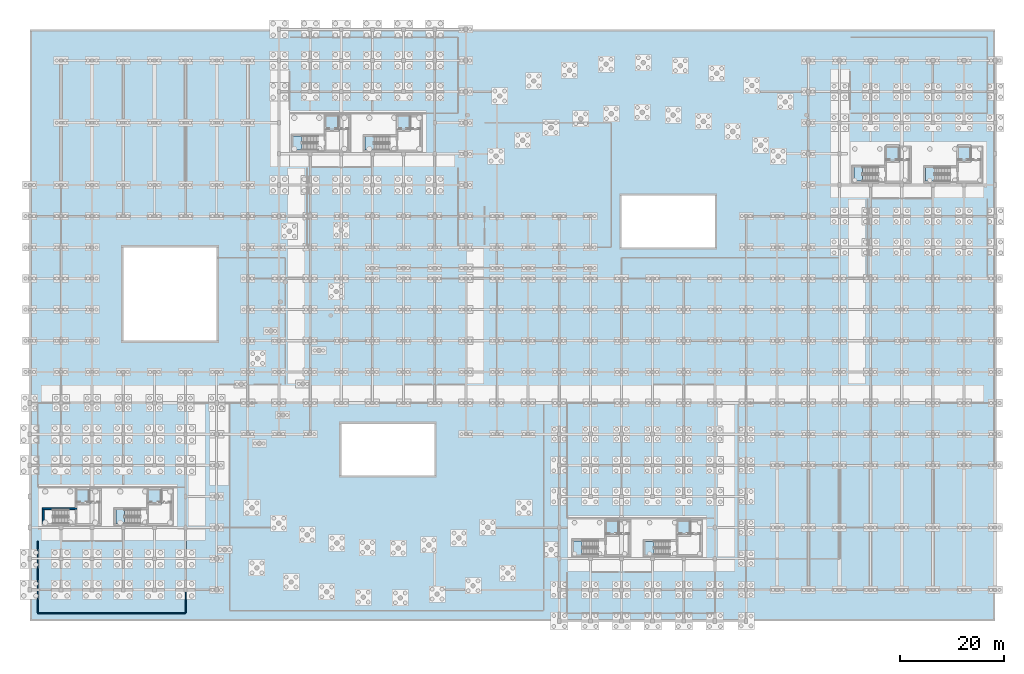
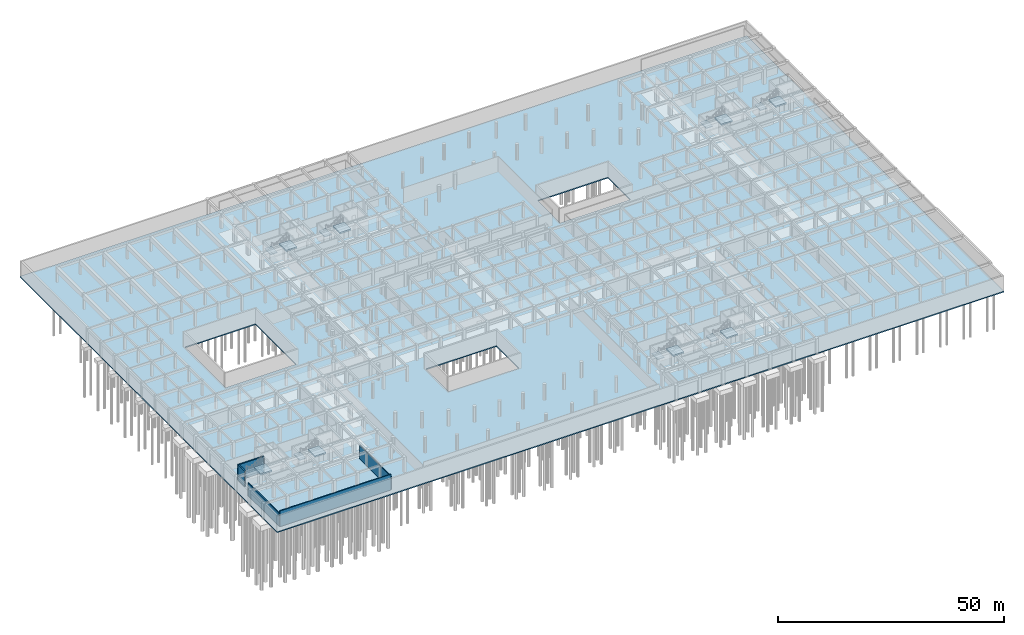
# One storey, part 22 of 41: 16 slabs, 5 walls, 7 elements without a shape of their own.
"""IFC4 building model written with IfcOpenShell, lengths in metres."""

from ifc_helpers import new_model, si_unit, direction, frame, frame_2d, origin, place, context, subcontext, project, spatial, polyline, rectangle, outline, extrude, material, layer, layer_set, type_object, element, aggregate, save


model = new_model("IFC4")

# Units and contexts
model_context = context("Model", 3, precision=1e-05, world=origin(), true_north=direction((0.0, 1.0)))
body_context = subcontext(model_context, "Body", "Model", "MODEL_VIEW")
ifc_project = project(units=[si_unit("LENGTHUNIT", "METRE"), si_unit("AREAUNIT", "SQUARE_METRE"), si_unit("VOLUMEUNIT", "CUBIC_METRE"), si_unit("PLANEANGLEUNIT", "RADIAN"), si_unit("MASSUNIT", "GRAM", prefix="KILO"), si_unit("POWERUNIT", "WATT"), si_unit("THERMODYNAMICTEMPERATUREUNIT", "KELVIN")], contexts=[model_context])

# Site, building, storey
site_placement = place(None, origin())
site = spatial("IfcSite", under=ifc_project, at=site_placement, CompositionType="ELEMENT")
building_placement = place(site_placement, origin())
building = spatial("IfcBuilding", under=site, at=building_placement, Name="Ruvembo Vaulted Housing Court", CompositionType="ELEMENT")
storey_placement = place(building_placement, frame((0.0, 0.0, -4.5)))
storey = spatial("IfcBuildingStorey", under=building, at=storey_placement, Name="B1", CompositionType="ELEMENT", Elevation=-4.5)

# Slab
ifc_material_1 = material(Name="Concrete C30/37", Category="concrete")
ifc_layer_1 = layer(ifc_material_1, 0.300048828125, Name="Concrete C30/37")
ifc_layer_set_1 = layer_set([ifc_layer_1], Name="Concrete C30/37")
slab_type_1 = type_object("IfcSlabType", Name="SL-BASE-300", PredefinedType="BASESLAB", material=ifc_layer_set_1)
slab_1_placement = place(storey_placement, frame((0.0, 0.0, -0.300048828125)))
element("IfcSlab", 1, at=slab_1_placement, inside=storey, type_object=slab_type_1, Name="B1 Shared Basement Structural Base Slab", PredefinedType="BASESLAB", context=body_context, shape_type="SweptSolid", body=[
    extrude(outline(polyline([(186.0, 0.0), (186.0, 114.0), (0.0, 114.0), (0.0, 0.0), (186.0, 0.0)]), holes=[polyline([(18.0, 54.0), (36.0, 54.0), (36.0, 72.0), (18.0, 72.0), (18.0, 54.0)]), polyline([(60.0, 28.0), (78.0, 28.0), (78.0, 38.0), (60.0, 38.0), (60.0, 28.0)]), polyline([(114.0, 72.0), (132.0, 72.0), (132.0, 82.0), (114.0, 82.0), (114.0, 72.0)])]), origin(), (0.0, 0.0, 1.0), 0.300048828125),
])

# Stair, slab
ifc_material_2 = material(Name="Concrete C35/45", Category="concrete")
stair_type_1 = type_object("IfcStairType", Name="STR-CORE-1250", PredefinedType="HALF_TURN_STAIR", material=ifc_material_2)
stair_1_placement = place(storey_placement, origin())
stair_1 = element("IfcStair", 2, at=stair_1_placement, inside=storey, type_object=stair_type_1, Name="B1 Protected Exit Stair ST-A2", PredefinedType="HALF_TURN_STAIR")
ifc_layer_2 = layer(ifc_material_1, 0.201904296875, Name="Concrete C30/37")
ifc_layer_set_2 = layer_set([ifc_layer_2], Name="Concrete C30/37")
slab_type_2 = type_object("IfcSlabType", Name="SL-LAND-202", PredefinedType="LANDING", material=ifc_layer_set_2)
slab_2_placement = place(storey_placement, frame((0.0, 0.0, 2.050048828125)))
slab_2 = element("IfcSlab", 3, at=slab_2_placement, type_object=slab_type_2, Name="ST-A2 landing 1", PredefinedType="LANDING", context=body_context, shape_type="SweptSolid", body=[
    extrude(outline(polyline([(18.219970703125, 21.449951171875), (16.550048828125, 21.449951171875), (16.550048828125, 18.75), (18.219970703125, 18.75), (18.219970703125, 21.449951171875)])), origin(), (0.0, 0.0, 1.0), 0.199951171875),
])
aggregate(stair_1, [slab_2])

stair_2_placement = place(storey_placement, origin())
stair_2 = element("IfcStair", 4, at=stair_2_placement, inside=storey, type_object=stair_type_1, Name="B1 Protected Exit Stair ST-B1", PredefinedType="HALF_TURN_STAIR")
slab_3_placement = place(storey_placement, frame((0.0, 0.0, 2.050048828125)))
slab_3 = element("IfcSlab", 5, at=slab_3_placement, type_object=slab_type_2, Name="ST-B1 landing 1", PredefinedType="LANDING", context=body_context, shape_type="SweptSolid", body=[
    extrude(outline(polyline([(52.419921875, 93.449951171875), (50.75, 93.449951171875), (50.75, 90.75), (52.419921875, 90.75), (52.419921875, 93.449951171875)])), origin(), (0.0, 0.0, 1.0), 0.199951171875),
])
aggregate(stair_2, [slab_3])

stair_type_2 = type_object("IfcStairType", Name="STR-CORE-1200", PredefinedType="HALF_TURN_STAIR", material=ifc_material_2)
stair_3_placement = place(storey_placement, origin())
stair_3 = element("IfcStair", 6, at=stair_3_placement, inside=storey, type_object=stair_type_2, Name="B1 Protected Exit Stair ST-B2", PredefinedType="HALF_TURN_STAIR")
slab_4_placement = place(storey_placement, frame((0.0, 0.0, 2.050048828125)))
slab_4 = element("IfcSlab", 7, at=slab_4_placement, type_object=slab_type_2, Name="ST-B2 landing 1", PredefinedType="LANDING", context=body_context, shape_type="SweptSolid", body=[
    extrude(outline(polyline([(66.27001953125, 93.35009765625), (64.550048828125, 93.35009765625), (64.550048828125, 90.75), (66.27001953125, 90.75), (66.27001953125, 93.35009765625)])), origin(), (0.0, 0.0, 1.0), 0.199951171875),
])
aggregate(stair_3, [slab_4])

stair_4_placement = place(storey_placement, origin())
stair_4 = element("IfcStair", 8, at=stair_4_placement, inside=storey, type_object=stair_type_1, Name="B1 Protected Exit Stair ST-C1", PredefinedType="HALF_TURN_STAIR")
slab_5_placement = place(storey_placement, frame((0.0, 0.0, 2.050048828125)))
slab_5 = element("IfcSlab", 9, at=slab_5_placement, type_object=slab_type_2, Name="ST-C1 landing 1", PredefinedType="LANDING", context=body_context, shape_type="SweptSolid", body=[
    extrude(outline(polyline([(106.419921875, 15.449951171875), (104.75, 15.449951171875), (104.75, 12.75), (106.419921875, 12.75), (106.419921875, 15.449951171875)])), origin(), (0.0, 0.0, 1.0), 0.199951171875),
])
aggregate(stair_4, [slab_5])

stair_5_placement = place(storey_placement, origin())
stair_5 = element("IfcStair", 10, at=stair_5_placement, inside=storey, type_object=stair_type_2, Name="B1 Protected Exit Stair ST-C2", PredefinedType="HALF_TURN_STAIR")
slab_6_placement = place(storey_placement, frame((0.0, 0.0, 2.050048828125)))
slab_6 = element("IfcSlab", 11, at=slab_6_placement, type_object=slab_type_2, Name="ST-C2 landing 1", PredefinedType="LANDING", context=body_context, shape_type="SweptSolid", body=[
    extrude(outline(polyline([(120.27001953125, 15.35009765625), (118.550048828125, 15.35009765625), (118.550048828125, 12.75), (120.27001953125, 12.75), (120.27001953125, 15.35009765625)])), origin(), (0.0, 0.0, 1.0), 0.199951171875),
])
aggregate(stair_5, [slab_6])

stair_6_placement = place(storey_placement, origin())
stair_6 = element("IfcStair", 12, at=stair_6_placement, inside=storey, type_object=stair_type_1, Name="B1 Protected Exit Stair ST-D1", PredefinedType="HALF_TURN_STAIR")
slab_7_placement = place(storey_placement, frame((0.0, 0.0, 2.050048828125)))
slab_7 = element("IfcSlab", 13, at=slab_7_placement, type_object=slab_type_2, Name="ST-D1 landing 1", PredefinedType="LANDING", context=body_context, shape_type="SweptSolid", body=[
    extrude(outline(polyline([(160.419921875, 87.449951171875), (158.75, 87.449951171875), (158.75, 84.75), (160.419921875, 84.75), (160.419921875, 87.449951171875)])), origin(), (0.0, 0.0, 1.0), 0.199951171875),
])
aggregate(stair_6, [slab_7])

stair_7_placement = place(storey_placement, origin())
stair_7 = element("IfcStair", 14, at=stair_7_placement, inside=storey, type_object=stair_type_2, Name="B1 Protected Exit Stair ST-D2", PredefinedType="HALF_TURN_STAIR")
slab_8_placement = place(storey_placement, frame((0.0, 0.0, 2.050048828125)))
slab_8 = element("IfcSlab", 15, at=slab_8_placement, type_object=slab_type_2, Name="ST-D2 landing 1", PredefinedType="LANDING", context=body_context, shape_type="SweptSolid", body=[
    extrude(outline(polyline([(174.27001953125, 87.35009765625), (172.550048828125, 87.35009765625), (172.550048828125, 84.75), (174.27001953125, 84.75), (174.27001953125, 87.35009765625)])), origin(), (0.0, 0.0, 1.0), 0.199951171875),
])
aggregate(stair_7, [slab_8])

# Slabs
ifc_layer_3 = layer(ifc_material_2, 0.39990234375, Name="Concrete C35/45")
ifc_layer_set_3 = layer_set([ifc_layer_3], Name="Concrete C35/45")
slab_type_3 = type_object("IfcSlabType", Name="SL-PIT-400", PredefinedType="BASESLAB", material=ifc_layer_set_3)
slab_9_placement = place(storey_placement, frame((0.0, 0.0, -1.5)))
element("IfcSlab", 16, at=slab_9_placement, inside=storey, type_object=slab_type_3, Name="Lift FL-A1 Pit Base Slab", PredefinedType="BASESLAB", context=body_context, shape_type="SweptSolid", body=[
    extrude(outline(polyline([(8.824951171875, 22.52490234375), (11.675048828125, 22.52490234375), (11.675048828125, 25.574951171875), (8.824951171875, 25.574951171875), (8.824951171875, 22.52490234375)])), origin(), (0.0, 0.0, 1.0), 0.39990234375),
])
slab_10_placement = place(storey_placement, frame((0.0, 0.0, -1.5)))
element("IfcSlab", 17, at=slab_10_placement, inside=storey, type_object=slab_type_3, Name="Lift FL-A2 Pit Base Slab", PredefinedType="BASESLAB", context=body_context, shape_type="SweptSolid", body=[
    extrude(outline(polyline([(22.625, 22.52490234375), (25.47509765625, 22.52490234375), (25.47509765625, 25.574951171875), (22.625, 25.574951171875), (22.625, 22.52490234375)])), origin(), (0.0, 0.0, 1.0), 0.39990234375),
])
slab_11_placement = place(storey_placement, frame((0.0, 0.0, -1.5)))
element("IfcSlab", 18, at=slab_11_placement, inside=storey, type_object=slab_type_3, Name="Lift LP-B1 Pit Base Slab", PredefinedType="BASESLAB", context=body_context, shape_type="SweptSolid", body=[
    extrude(outline(polyline([(56.824951171875, 94.52490234375), (59.675048828125, 94.52490234375), (59.675048828125, 97.574951171875), (56.824951171875, 97.574951171875), (56.824951171875, 94.52490234375)])), origin(), (0.0, 0.0, 1.0), 0.39990234375),
])
slab_12_placement = place(storey_placement, frame((0.0, 0.0, -1.5)))
element("IfcSlab", 19, at=slab_12_placement, inside=storey, type_object=slab_type_3, Name="Lift LP-B2 Pit Base Slab", PredefinedType="BASESLAB", context=body_context, shape_type="SweptSolid", body=[
    extrude(outline(polyline([(70.625, 94.52490234375), (73.47509765625, 94.52490234375), (73.47509765625, 97.574951171875), (70.625, 97.574951171875), (70.625, 94.52490234375)])), origin(), (0.0, 0.0, 1.0), 0.39990234375),
])
slab_13_placement = place(storey_placement, frame((0.0, 0.0, -1.5)))
element("IfcSlab", 20, at=slab_13_placement, inside=storey, type_object=slab_type_3, Name="Lift LP-C1 Pit Base Slab", PredefinedType="BASESLAB", context=body_context, shape_type="SweptSolid", body=[
    extrude(outline(polyline([(110.824951171875, 16.52490234375), (113.675048828125, 16.52490234375), (113.675048828125, 19.574951171875), (110.824951171875, 19.574951171875), (110.824951171875, 16.52490234375)])), origin(), (0.0, 0.0, 1.0), 0.39990234375),
])
slab_14_placement = place(storey_placement, frame((0.0, 0.0, -1.5)))
element("IfcSlab", 21, at=slab_14_placement, inside=storey, type_object=slab_type_3, Name="Lift LP-C2 Pit Base Slab", PredefinedType="BASESLAB", context=body_context, shape_type="SweptSolid", body=[
    extrude(outline(polyline([(124.625, 16.52490234375), (127.47509765625, 16.52490234375), (127.47509765625, 19.574951171875), (124.625, 19.574951171875), (124.625, 16.52490234375)])), origin(), (0.0, 0.0, 1.0), 0.39990234375),
])
slab_15_placement = place(storey_placement, frame((0.0, 0.0, -1.5)))
element("IfcSlab", 22, at=slab_15_placement, inside=storey, type_object=slab_type_3, Name="Lift LP-D1 Pit Base Slab", PredefinedType="BASESLAB", context=body_context, shape_type="SweptSolid", body=[
    extrude(outline(polyline([(164.824951171875, 88.52490234375), (167.675048828125, 88.52490234375), (167.675048828125, 91.574951171875), (164.824951171875, 91.574951171875), (164.824951171875, 88.52490234375)])), origin(), (0.0, 0.0, 1.0), 0.39990234375),
])
slab_16_placement = place(storey_placement, frame((0.0, 0.0, -1.5)))
element("IfcSlab", 23, at=slab_16_placement, inside=storey, type_object=slab_type_3, Name="Lift LP-D2 Pit Base Slab", PredefinedType="BASESLAB", context=body_context, shape_type="SweptSolid", body=[
    extrude(outline(polyline([(178.625, 88.52490234375), (181.47509765625, 88.52490234375), (181.47509765625, 91.574951171875), (178.625, 91.574951171875), (178.625, 88.52490234375)])), origin(), (0.0, 0.0, 1.0), 0.39990234375),
])

# Walls
ifc_layer_4 = layer(ifc_material_2, 0.35009765625, Name="Concrete C35/45")
ifc_layer_set_4 = layer_set([ifc_layer_4], Name="Concrete C35/45")
wall_type_1 = type_object("IfcWallType", Name="WL-CORE-350", PredefinedType="SHEAR", material=ifc_layer_set_4)
wall_1_placement = place(storey_placement, frame((9.050048828125, 21.625, 0.0), z_axis=(0.0, 0.0, 1.0), x_axis=(-1.0, 0.0, 0.0)))
element("IfcWall", 24, at=wall_1_placement, inside=storey, type_object=wall_type_1, Name="Core A1 B1 Stair North Shear Wall", PredefinedType="SHEAR", context=body_context, shape_type="SweptSolid", body=[
    extrude(rectangle(XDim=6.650146484375, YDim=0.35009765625, at=frame_2d((3.3251953125, 0.0))), origin(), (0.0, 0.0, 1.0), 4.215087890625),
])
wall_2_placement = place(storey_placement, frame((2.574951171875, 21.449951171875, 0.0), z_axis=(0.0, 0.0, 1.0), x_axis=(0.0, -1.0, 0.0)))
element("IfcWall", 25, at=wall_2_placement, inside=storey, type_object=wall_type_1, Name="Core A1 B1 Stair West Shear Wall", PredefinedType="SHEAR", context=body_context, shape_type="SweptSolid", body=[
    extrude(rectangle(XDim=2.699951171875, YDim=0.35009765625, at=frame_2d((1.35009765625, 0.0))), origin(), (0.0, 0.0, 1.0), 4.215087890625),
])
ifc_material_3 = material(Name="Concrete Blockwork 210", Category="masonry")
ifc_layer_5 = layer(ifc_material_3, 0.2099609375, Name="Concrete Blockwork 210")
ifc_layer_set_5 = layer_set([ifc_layer_5], Name="Concrete Blockwork 210")
wall_type_2 = type_object("IfcWallType", Name="WL-CORR-210", PredefinedType="SOLIDWALL", material=ifc_layer_set_5)
wall_3_placement = place(storey_placement, frame((1.5400390625, 1.5, 0.0), z_axis=(0.0, 0.0, 1.0), x_axis=(1.0, 0.0, 0.0)))
element("IfcWall", 26, at=wall_3_placement, inside=storey, type_object=wall_type_2, Name="B1 Bicycle Storage West WL-INT-B1-00002", PredefinedType="SOLIDWALL", context=body_context, shape_type="SweptSolid", body=[
    extrude(rectangle(XDim=28.419921875, YDim=0.2099609375, at=frame_2d((14.2099609375, 0.0))), origin(), (0.0, 0.0, 1.0), 4.215087890625),
])
wall_4_placement = place(storey_placement, frame((30.0, 1.5400390625, 0.0), z_axis=(0.0, 0.0, 1.0), x_axis=(0.0, 1.0, 0.0)))
element("IfcWall", 27, at=wall_4_placement, inside=storey, type_object=wall_type_2, Name="B1 Bicycle Storage West WL-INT-B1-00003", PredefinedType="SOLIDWALL", context=body_context, shape_type="SweptSolid", body=[
    extrude(rectangle(XDim=13.820068359375, YDim=0.2099609375, at=frame_2d((6.91015625, 0.0))), origin(), (0.0, 0.0, 1.0), 3.596923828125),
])
wall_5_placement = place(storey_placement, frame((1.5, 15.360107421875, 0.0), z_axis=(0.0, 0.0, 1.0), x_axis=(0.0, -1.0, 0.0)))
element("IfcWall", 28, at=wall_5_placement, inside=storey, type_object=wall_type_2, Name="B1 Bicycle Storage West WL-INT-B1-00004", PredefinedType="SOLIDWALL", context=body_context, shape_type="SweptSolid", body=[
    extrude(rectangle(XDim=13.820068359375, YDim=0.2099609375, at=frame_2d((6.91015625, 0.0))), origin(), (0.0, 0.0, 1.0), 3.4970703125),
])

save(model, "model.ifc")
